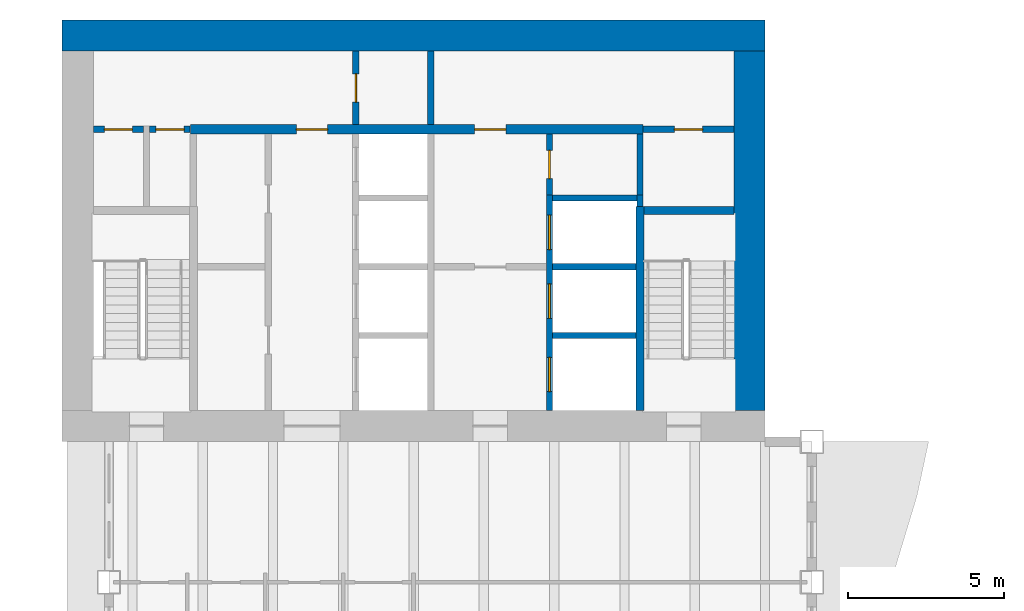
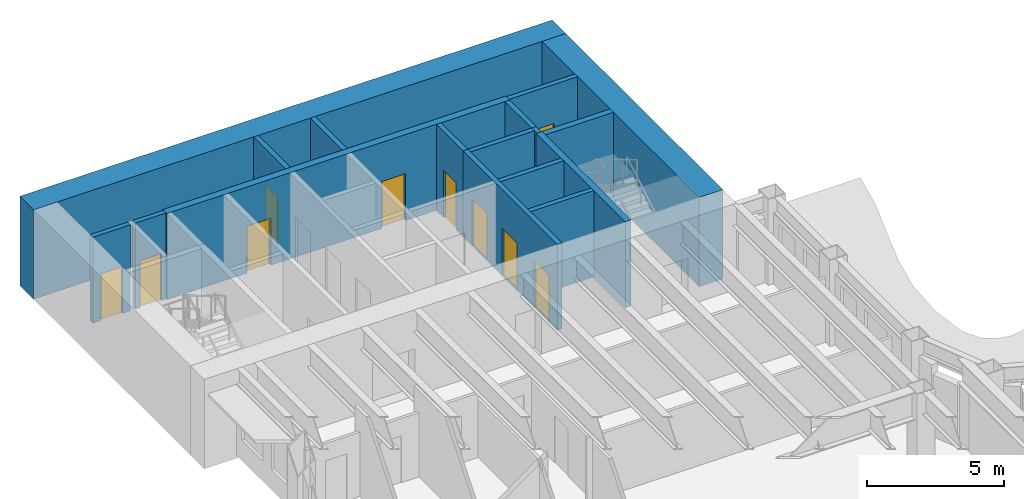
# One storey, part 10 of 17: 17 walls, 10 doors, 10 openings.
"""IFC4 building model written with IfcOpenShell, lengths in metres."""

from ifc_helpers import new_model, si_unit, direction, frame, frame_2d, origin, place, context, subcontext, project, spatial, rectangle, extrude, material, layer, layer_set, type_object, element, fill, save


model = new_model("IFC4")

# Units and contexts
model_context = context("Model", 3, precision=1e-05, world=origin(), true_north=direction((0.0, 1.0)))
body_context = subcontext(model_context, "Body", "Model", "MODEL_VIEW")
ifc_project = project(units=[si_unit("LENGTHUNIT", "METRE"), si_unit("AREAUNIT", "SQUARE_METRE"), si_unit("VOLUMEUNIT", "CUBIC_METRE"), si_unit("PLANEANGLEUNIT", "RADIAN"), si_unit("MASSUNIT", "GRAM", prefix="KILO")], contexts=[model_context])

# Site, building, storey
site_placement = place(None, origin())
site = spatial("IfcSite", under=ifc_project, at=site_placement, CompositionType="ELEMENT")
building_placement = place(site_placement, origin())
building = spatial("IfcBuilding", under=site, at=building_placement, Name="Sennacour Bend Tower", CompositionType="ELEMENT")
storey_placement = place(building_placement, frame((0.0, 0.0, 199.0)))
storey = spatial("IfcBuildingStorey", under=building, at=storey_placement, Name="L45", CompositionType="ELEMENT", Elevation=199.0)

# Walls
ifc_material_1 = material(Name="Concrete C60/75", Category="concrete")
ifc_layer_1 = layer(ifc_material_1, 1.0, Name="Concrete C60/75", Category="concrete")
ifc_layer_set_1 = layer_set([ifc_layer_1], Name="Concrete C60/75")
wall_type_1 = type_object("IfcWallType", Name="Core wall 1000 C60/75", PredefinedType="SHEAR", material=ifc_layer_set_1)
wall_1_placement = place(storey_placement, frame((0.0, 49.0, -0.14990234375), z_axis=(0.0, 0.0, 1.0), x_axis=(1.0, 0.0, 0.0)))
element("IfcWall", 1, at=wall_1_placement, inside=storey, type_object=wall_type_1, Name="Core B wall L45 N", PredefinedType="SHEAR", context=body_context, shape_type="SweptSolid", body=[
    extrude(rectangle(XDim=22.5, YDim=1.0, at=frame_2d((11.25, 0.0))), origin(), (0.0, 0.0, 1.0), 4.0),
])
wall_2_placement = place(storey_placement, frame((22.0, 37.0, -0.14990234375), z_axis=(0.0, 0.0, 1.0), x_axis=(0.0, 1.0, 0.0)))
element("IfcWall", 2, at=wall_2_placement, inside=storey, type_object=wall_type_1, Name="Core B wall L45 E", PredefinedType="SHEAR", context=body_context, shape_type="SweptSolid", body=[
    extrude(rectangle(XDim=11.5, YDim=1.0, at=frame_2d((5.75, 0.0))), origin(), (0.0, 0.0, 1.0), 4.0),
])

# Wall, opening, door
ifc_material_2 = material(Name="Fire-rated plasterboard partition on steel studs", Category="steel")
ifc_layer_2 = layer(ifc_material_2, 0.199951171875, Name="Fire-rated plasterboard partition on steel studs", Category="steel")
ifc_layer_set_2 = layer_set([ifc_layer_2], Name="Fire-rated plasterboard partition on steel studs")
wall_type_2 = type_object("IfcWallType", Name="Rated partition 200", PredefinedType="PARTITIONING", material=ifc_layer_set_2)
wall_3_placement = place(storey_placement, frame((9.39990234375, 46.14990234375, 0.0), z_axis=(0.0, 0.0, 1.0), x_axis=(0.0, 1.0, 0.0)))
wall_3 = element("IfcWall", 3, at=wall_3_placement, inside=storey, type_object=wall_type_2, Name="P-L45-W015", PredefinedType="PARTITIONING", context=body_context, shape_type="SweptSolid", body=[
    extrude(rectangle(XDim=2.35009765625, YDim=0.199951171875, at=frame_2d((1.175048828125, 0.0))), origin(), (0.0, 0.0, 1.0), 3.85009765625),
])
opening_1_placement = place(wall_3_placement, frame((0.72509765625, 0.0, 0.0)))
opening_1 = element("IfcOpeningElement", 4, at=opening_1_placement, cuts=wall_3, Name="Opening SV", PredefinedType="OPENING", context=body_context, shape_type="SweptSolid", body=[
    extrude(rectangle(XDim=0.89990234375, YDim=2.10009765625, at=frame_2d((0.449951171875, 1.050048828125))), frame((0.0, 0.10986328125, 0.0), z_axis=(0.0, -1.0, 0.0), x_axis=(1.0, 0.0, 0.0)), (0.0, 0.0, 1.0), 0.219970703125),
])
ifc_material_3 = material(Name="Painted steel", Category="steel")
door_type_1 = type_object("IfcDoorType", Name="DR-SERVICE-900", OperationType="NOTDEFINED", PredefinedType="DOOR", material=ifc_material_3)
door_1_placement = place(opening_1_placement, origin())
door_1 = element("IfcDoor", 5, at=door_1_placement, inside=storey, type_object=door_type_1, Name="Door", OperationType="SINGLE_SWING_RIGHT", OverallHeight=2.10009765625, OverallWidth=0.89990234375, PredefinedType="DOOR", context=body_context, shape_type="SweptSolid", body=[
    extrude(rectangle(XDim=0.89990234375, YDim=2.10009765625, at=frame_2d((0.449951171875, 1.050048828125))), frame((0.0, 0.02490234375, 0.0), z_axis=(0.0, -1.0, 0.0), x_axis=(1.0, 0.0, 0.0)), (0.0, 0.0, 1.0), 0.050048828125),
])
fill(opening_1, door_1)

# Wall
wall_4_placement = place(storey_placement, frame((11.800048828125, 46.14990234375, 0.0), z_axis=(0.0, 0.0, 1.0), x_axis=(0.0, 1.0, 0.0)))
element("IfcWall", 6, at=wall_4_placement, inside=storey, type_object=wall_type_2, Name="P-L45-W018", PredefinedType="PARTITIONING", context=body_context, shape_type="SweptSolid", body=[
    extrude(rectangle(XDim=2.35009765625, YDim=0.199951171875, at=frame_2d((1.175048828125, 0.0))), origin(), (0.0, 0.0, 1.0), 3.85009765625),
])

# Wall, opening, door
wall_5_placement = place(storey_placement, frame((15.60009765625, 43.89990234375, 0.0), z_axis=(0.0, 0.0, 1.0), x_axis=(0.0, 1.0, 0.0)))
wall_5 = element("IfcWall", 7, at=wall_5_placement, inside=storey, type_object=wall_type_2, Name="P-L45-W021", PredefinedType="PARTITIONING", context=body_context, shape_type="SweptSolid", body=[
    extrude(rectangle(XDim=1.9501953125, YDim=0.199951171875, at=frame_2d((0.97509765625, 0.0))), origin(), (0.0, 0.0, 1.0), 3.85009765625),
])
opening_2_placement = place(wall_5_placement, frame((0.525146484375, 0.0, 0.0)))
opening_2 = element("IfcOpeningElement", 8, at=opening_2_placement, cuts=wall_5, Name="Opening SV", PredefinedType="OPENING", context=body_context, shape_type="SweptSolid", body=[
    extrude(rectangle(XDim=0.89990234375, YDim=2.10009765625, at=frame_2d((0.449951171875, 1.050048828125))), frame((0.0, 0.10986328125, 0.0), z_axis=(0.0, -1.0, 0.0), x_axis=(1.0, 0.0, 0.0)), (0.0, 0.0, 1.0), 0.219970703125),
])
door_2_placement = place(opening_2_placement, origin())
door_2 = element("IfcDoor", 9, at=door_2_placement, inside=storey, type_object=door_type_1, Name="Door", OperationType="SINGLE_SWING_RIGHT", OverallHeight=2.10009765625, OverallWidth=0.89990234375, PredefinedType="DOOR", context=body_context, shape_type="SweptSolid", body=[
    extrude(rectangle(XDim=0.89990234375, YDim=2.10009765625, at=frame_2d((0.449951171875, 1.050048828125))), frame((0.0, 0.02490234375, 0.0), z_axis=(0.0, -1.0, 0.0), x_axis=(1.0, 0.0, 0.0)), (0.0, 0.0, 1.0), 0.050048828125),
])
fill(opening_2, door_2)

# Wall
wall_6_placement = place(storey_placement, frame((18.5, 43.89990234375, 0.0), z_axis=(0.0, 0.0, 1.0), x_axis=(0.0, 1.0, 0.0)))
element("IfcWall", 10, at=wall_6_placement, inside=storey, type_object=wall_type_2, Name="P-L45-W025", PredefinedType="PARTITIONING", context=body_context, shape_type="SweptSolid", body=[
    extrude(rectangle(XDim=1.9501953125, YDim=0.199951171875, at=frame_2d((0.97509765625, 0.0))), origin(), (0.0, 0.0, 1.0), 3.85009765625),
])

# Wall, opening, door
wall_7_placement = place(storey_placement, frame((1.0, 46.0, 0.0), z_axis=(0.0, 0.0, 1.0), x_axis=(1.0, 0.0, 0.0)))
wall_7 = element("IfcWall", 11, at=wall_7_placement, inside=storey, type_object=wall_type_2, Name="P-L45-W098a", PredefinedType="PARTITIONING", context=body_context, shape_type="SweptSolid", body=[
    extrude(rectangle(XDim=1.60009765625, YDim=0.199951171875, at=frame_2d((0.800048828125, 0.0))), origin(), (0.0, 0.0, 1.0), 3.85009765625),
])
opening_3_placement = place(wall_7_placement, frame((0.35009765625, 0.0, 0.0)))
opening_3 = element("IfcOpeningElement", 12, at=opening_3_placement, cuts=wall_7, Name="Opening SV", PredefinedType="OPENING", context=body_context, shape_type="SweptSolid", body=[
    extrude(rectangle(XDim=0.89990234375, YDim=2.10009765625, at=frame_2d((0.449951171875, 1.050048828125))), frame((0.0, 0.10986328125, 0.0), z_axis=(0.0, -1.0, 0.0), x_axis=(1.0, 0.0, 0.0)), (0.0, 0.0, 1.0), 0.219970703125),
])
door_3_placement = place(opening_3_placement, origin())
door_3 = element("IfcDoor", 13, at=door_3_placement, inside=storey, type_object=door_type_1, Name="Door", OperationType="SINGLE_SWING_LEFT", OverallHeight=2.10009765625, OverallWidth=0.89990234375, PredefinedType="DOOR", context=body_context, shape_type="SweptSolid", body=[
    extrude(rectangle(XDim=0.89990234375, YDim=2.10009765625, at=frame_2d((0.449951171875, 1.050048828125))), frame((0.0, 0.02490234375, 0.0), z_axis=(0.0, -1.0, 0.0), x_axis=(1.0, 0.0, 0.0)), (0.0, 0.0, 1.0), 0.050048828125),
])
fill(opening_3, door_3)

wall_8_placement = place(storey_placement, frame((2.800048828125, 46.0, 0.0), z_axis=(0.0, 0.0, 1.0), x_axis=(1.0, 0.0, 0.0)))
wall_8 = element("IfcWall", 14, at=wall_8_placement, inside=storey, type_object=wall_type_2, Name="P-L45-W098b", PredefinedType="PARTITIONING", context=body_context, shape_type="SweptSolid", body=[
    extrude(rectangle(XDim=1.300048828125, YDim=0.199951171875, at=frame_2d((0.64990234375, 0.0))), origin(), (0.0, 0.0, 1.0), 3.85009765625),
])
opening_4_placement = place(wall_8_placement, frame((0.199951171875, 0.0, 0.0)))
opening_4 = element("IfcOpeningElement", 15, at=opening_4_placement, cuts=wall_8, Name="Opening SV", PredefinedType="OPENING", context=body_context, shape_type="SweptSolid", body=[
    extrude(rectangle(XDim=0.89990234375, YDim=2.10009765625, at=frame_2d((0.449951171875, 1.050048828125))), frame((0.0, 0.10986328125, 0.0), z_axis=(0.0, -1.0, 0.0), x_axis=(1.0, 0.0, 0.0)), (0.0, 0.0, 1.0), 0.219970703125),
])
door_4_placement = place(opening_4_placement, origin())
door_4 = element("IfcDoor", 16, at=door_4_placement, inside=storey, type_object=door_type_1, Name="Door", OperationType="SINGLE_SWING_LEFT", OverallHeight=2.10009765625, OverallWidth=0.89990234375, PredefinedType="DOOR", context=body_context, shape_type="SweptSolid", body=[
    extrude(rectangle(XDim=0.89990234375, YDim=2.10009765625, at=frame_2d((0.449951171875, 1.050048828125))), frame((0.0, 0.02490234375, 0.0), z_axis=(0.0, -1.0, 0.0), x_axis=(1.0, 0.0, 0.0)), (0.0, 0.0, 1.0), 0.050048828125),
])
fill(opening_4, door_4)

wall_9_placement = place(storey_placement, frame((18.60009765625, 46.0, 0.0), z_axis=(0.0, 0.0, 1.0), x_axis=(1.0, 0.0, 0.0)))
wall_9 = element("IfcWall", 17, at=wall_9_placement, inside=storey, type_object=wall_type_2, Name="P-L45-W100", PredefinedType="PARTITIONING", context=body_context, shape_type="SweptSolid", body=[
    extrude(rectangle(XDim=2.89990234375, YDim=0.199951171875, at=frame_2d((1.449951171875, 0.0))), origin(), (0.0, 0.0, 1.0), 3.85009765625),
])
opening_5_placement = place(wall_9_placement, frame((1.0, 0.0, 0.0)))
opening_5 = element("IfcOpeningElement", 18, at=opening_5_placement, cuts=wall_9, Name="Opening WD", PredefinedType="OPENING", context=body_context, shape_type="SweptSolid", body=[
    extrude(rectangle(XDim=0.89990234375, YDim=2.10009765625, at=frame_2d((0.449951171875, 1.050048828125))), frame((0.0, 0.10986328125, 0.0), z_axis=(0.0, -1.0, 0.0), x_axis=(1.0, 0.0, 0.0)), (0.0, 0.0, 1.0), 0.219970703125),
])
ifc_material_4 = material(Name="Timber", Category="wood")
door_type_2 = type_object("IfcDoorType", Name="DR-WC-900", OperationType="NOTDEFINED", PredefinedType="DOOR", material=ifc_material_4)
door_5_placement = place(opening_5_placement, origin())
door_5 = element("IfcDoor", 19, at=door_5_placement, inside=storey, type_object=door_type_2, Name="Door", OperationType="SINGLE_SWING_LEFT", OverallHeight=2.10009765625, OverallWidth=0.89990234375, PredefinedType="DOOR", context=body_context, shape_type="SweptSolid", body=[
    extrude(rectangle(XDim=0.89990234375, YDim=2.10009765625, at=frame_2d((0.449951171875, 1.050048828125))), frame((0.0, 0.02490234375, 0.0), z_axis=(0.0, -1.0, 0.0), x_axis=(1.0, 0.0, 0.0)), (0.0, 0.0, 1.0), 0.050048828125),
])
fill(opening_5, door_5)

# Wall, openings, doors
ifc_material_5 = material(Name="Concrete C50/60", Category="concrete")
ifc_layer_3 = layer(ifc_material_5, 0.199951171875, Name="Concrete C50/60", Category="concrete")
ifc_layer_set_3 = layer_set([ifc_layer_3], Name="Concrete C50/60")
wall_type_3 = type_object("IfcWallType", Name="Shaft wall 200", PredefinedType="SOLIDWALL", material=ifc_layer_set_3)
wall_10_placement = place(storey_placement, frame((15.60009765625, 37.0, 0.0), z_axis=(0.0, 0.0, 1.0), x_axis=(0.0, 1.0, 0.0)))
wall_10 = element("IfcWall", 20, at=wall_10_placement, inside=storey, type_object=wall_type_3, Name="P-L45-W020", PredefinedType="SOLIDWALL", context=body_context, shape_type="SweptSolid", body=[
    extrude(rectangle(XDim=6.89990234375, YDim=0.199951171875, at=frame_2d((3.449951171875, 0.0))), origin(), (0.0, 0.0, 1.0), 3.85009765625),
])
opening_6_placement = place(wall_10_placement, frame((0.60009765625, 0.0, 0.011962890625)))
opening_6 = element("IfcOpeningElement", 21, at=opening_6_placement, cuts=wall_10, Name="Opening FLD", PredefinedType="OPENING", context=body_context, shape_type="SweptSolid", body=[
    extrude(rectangle(XDim=1.10009765625, YDim=2.10009765625, at=frame_2d((0.550048828125, 1.050048828125))), frame((0.0, 0.10986328125, 0.0), z_axis=(0.0, -1.0, 0.0), x_axis=(1.0, 0.0, 0.0)), (0.0, 0.0, 1.0), 0.219970703125),
])
opening_7_placement = place(wall_10_placement, frame((2.949951171875, 0.0, 0.011962890625)))
opening_7 = element("IfcOpeningElement", 22, at=opening_7_placement, cuts=wall_10, Name="Opening FLD", PredefinedType="OPENING", context=body_context, shape_type="SweptSolid", body=[
    extrude(rectangle(XDim=1.10009765625, YDim=2.10009765625, at=frame_2d((0.550048828125, 1.050048828125))), frame((0.0, 0.10986328125, 0.0), z_axis=(0.0, -1.0, 0.0), x_axis=(1.0, 0.0, 0.0)), (0.0, 0.0, 1.0), 0.219970703125),
])
opening_8_placement = place(wall_10_placement, frame((5.14990234375, 0.0, 0.011962890625)))
opening_8 = element("IfcOpeningElement", 23, at=opening_8_placement, cuts=wall_10, Name="Opening LD", PredefinedType="OPENING", context=body_context, shape_type="SweptSolid", body=[
    extrude(rectangle(XDim=1.10009765625, YDim=2.10009765625, at=frame_2d((0.550048828125, 1.050048828125))), frame((0.0, 0.10986328125, 0.0), z_axis=(0.0, -1.0, 0.0), x_axis=(1.0, 0.0, 0.0)), (0.0, 0.0, 1.0), 0.219970703125),
])
ifc_material_6 = material(Name="Stainless steel", Category="steel")
door_type_3 = type_object("IfcDoorType", Name="DR-FF-LANDING-1100", OperationType="NOTDEFINED", PredefinedType="DOOR", material=ifc_material_6)
door_6_placement = place(opening_6_placement, origin())
door_6 = element("IfcDoor", 24, at=door_6_placement, inside=storey, type_object=door_type_3, Name="Fire service lift landing door FB1", OperationType="SLIDING_TO_RIGHT", OverallHeight=2.10009765625, OverallWidth=1.10009765625, PredefinedType="DOOR", context=body_context, shape_type="SweptSolid", body=[
    extrude(rectangle(XDim=1.10009765625, YDim=2.10009765625, at=frame_2d((0.550048828125, 1.050048828125))), frame((0.0, 0.02490234375, 0.0), z_axis=(0.0, -1.0, 0.0), x_axis=(1.0, 0.0, 0.0)), (0.0, 0.0, 1.0), 0.050048828125),
])
fill(opening_6, door_6)
door_7_placement = place(opening_7_placement, origin())
door_7 = element("IfcDoor", 25, at=door_7_placement, inside=storey, type_object=door_type_3, Name="Fire service lift landing door FB2", OperationType="SLIDING_TO_LEFT", OverallHeight=2.10009765625, OverallWidth=1.10009765625, PredefinedType="DOOR", context=body_context, shape_type="SweptSolid", body=[
    extrude(rectangle(XDim=1.10009765625, YDim=2.10009765625, at=frame_2d((0.550048828125, 1.050048828125))), frame((0.0, 0.02490234375, 0.0), z_axis=(0.0, -1.0, 0.0), x_axis=(1.0, 0.0, 0.0)), (0.0, 0.0, 1.0), 0.050048828125),
])
fill(opening_7, door_7)
door_type_4 = type_object("IfcDoorType", Name="DR-LANDING-1100", OperationType="NOTDEFINED", PredefinedType="DOOR", material=ifc_material_6)
door_8_placement = place(opening_8_placement, origin())
door_8 = element("IfcDoor", 26, at=door_8_placement, inside=storey, type_object=door_type_4, Name="Lift landing door MB5", OperationType="SLIDING_TO_RIGHT", OverallHeight=2.10009765625, OverallWidth=1.10009765625, PredefinedType="DOOR", context=body_context, shape_type="SweptSolid", body=[
    extrude(rectangle(XDim=1.10009765625, YDim=2.10009765625, at=frame_2d((0.550048828125, 1.050048828125))), frame((0.0, 0.02490234375, 0.0), z_axis=(0.0, -1.0, 0.0), x_axis=(1.0, 0.0, 0.0)), (0.0, 0.0, 1.0), 0.050048828125),
])
fill(opening_8, door_8)

# Walls
wall_11_placement = place(storey_placement, frame((18.5, 43.52490234375, 0.0), z_axis=(0.0, 0.0, 1.0), x_axis=(0.0, 1.0, 0.0)))
element("IfcWall", 27, at=wall_11_placement, inside=storey, type_object=wall_type_3, Name="P-L45-W024", PredefinedType="SOLIDWALL", context=body_context, shape_type="SweptSolid", body=[
    extrude(rectangle(XDim=0.375, YDim=0.199951171875, at=frame_2d((0.1875, 0.0))), origin(), (0.0, 0.0, 1.0), 3.85009765625),
])
for number, where, z_axis, x_axis, name in (
    (28, (15.699951171875, 39.39990234375, 0.0), (0.0, 0.0, 1.0), (1.0, 0.0, 0.0), "P-L45-W089"),
    (29, (15.699951171875, 41.60009765625, 0.0), (0.0, 0.0, 1.0), (1.0, 0.0, 0.0), "P-L45-W093"),
):
    element("IfcWall", number, at=place(storey_placement, frame(where, z_axis=z_axis, x_axis=x_axis)), inside=storey, type_object=wall_type_3, Name=name, PredefinedType="SOLIDWALL", context=body_context, shape_type="SweptSolid", body=[
        extrude(rectangle(XDim=2.675048828125, YDim=0.199951171875, at=frame_2d((1.33740234375, 0.0))), origin(), (0.0, 0.0, 1.0), 3.85009765625),
    ])
wall_12_placement = place(storey_placement, frame((15.699951171875, 43.800048828125, 0.0), z_axis=(0.0, 0.0, 1.0), x_axis=(1.0, 0.0, 0.0)))
element("IfcWall", 30, at=wall_12_placement, inside=storey, type_object=wall_type_3, Name="P-L45-W097", PredefinedType="SOLIDWALL", context=body_context, shape_type="SweptSolid", body=[
    extrude(rectangle(XDim=2.699951171875, YDim=0.199951171875, at=frame_2d((1.35009765625, 0.0))), origin(), (0.0, 0.0, 1.0), 3.85009765625),
])

# Wall, openings, doors
ifc_layer_4 = layer(ifc_material_1, 0.300048828125, Name="Concrete C60/75", Category="concrete")
ifc_layer_set_4 = layer_set([ifc_layer_4], Name="Concrete C60/75")
wall_type_4 = type_object("IfcWallType", Name="Spine wall 300", PredefinedType="SHEAR", material=ifc_layer_set_4)
wall_13_placement = place(storey_placement, frame((4.10009765625, 46.0, 0.0), z_axis=(0.0, 0.0, 1.0), x_axis=(1.0, 0.0, 0.0)))
wall_13 = element("IfcWall", 31, at=wall_13_placement, inside=storey, type_object=wall_type_4, Name="P-L45-W099", PredefinedType="SHEAR", context=body_context, shape_type="SweptSolid", body=[
    extrude(rectangle(XDim=14.5, YDim=0.300048828125, at=frame_2d((7.25, 0.0))), origin(), (0.0, 0.0, 1.0), 3.85009765625),
])
opening_9_placement = place(wall_13_placement, frame((3.39990234375, 0.0, 0.0)))
opening_9 = element("IfcOpeningElement", 32, at=opening_9_placement, cuts=wall_13, Name="Opening CD2", PredefinedType="OPENING", context=body_context, shape_type="SweptSolid", body=[
    extrude(rectangle(XDim=1.0, YDim=2.10009765625, at=frame_2d((0.5, 1.050048828125))), frame((0.0, 0.16015625, 0.0), z_axis=(0.0, -1.0, 0.0), x_axis=(1.0, 0.0, 0.0)), (0.0, 0.0, 1.0), 0.320068359375),
])
opening_10_placement = place(wall_13_placement, frame((9.099853515625, 0.0, 0.0)))
opening_10 = element("IfcOpeningElement", 33, at=opening_10_placement, cuts=wall_13, Name="Opening CD2", PredefinedType="OPENING", context=body_context, shape_type="SweptSolid", body=[
    extrude(rectangle(XDim=1.0, YDim=2.10009765625, at=frame_2d((0.5, 1.050048828125))), frame((0.0, 0.16015625, 0.0), z_axis=(0.0, -1.0, 0.0), x_axis=(1.0, 0.0, 0.0)), (0.0, 0.0, 1.0), 0.320068359375),
])
door_type_5 = type_object("IfcDoorType", Name="DR-LOBBY-1000", OperationType="NOTDEFINED", PredefinedType="DOOR", material=ifc_material_3)
door_9_placement = place(opening_9_placement, origin())
door_9 = element("IfcDoor", 34, at=door_9_placement, inside=storey, type_object=door_type_5, Name="Door", OperationType="SINGLE_SWING_LEFT", OverallHeight=2.10009765625, OverallWidth=1.0, PredefinedType="DOOR", context=body_context, shape_type="SweptSolid", body=[
    extrude(rectangle(XDim=1.0, YDim=2.10009765625, at=frame_2d((0.5, 1.050048828125))), frame((0.0, 0.02490234375, 0.0), z_axis=(0.0, -1.0, 0.0), x_axis=(1.0, 0.0, 0.0)), (0.0, 0.0, 1.0), 0.050048828125),
])
fill(opening_9, door_9)
door_10_placement = place(opening_10_placement, origin())
door_10 = element("IfcDoor", 35, at=door_10_placement, inside=storey, type_object=door_type_5, Name="Door", OperationType="SINGLE_SWING_RIGHT", OverallHeight=2.10009765625, OverallWidth=1.0, PredefinedType="DOOR", context=body_context, shape_type="SweptSolid", body=[
    extrude(rectangle(XDim=1.0, YDim=2.10009765625, at=frame_2d((0.5, 1.050048828125))), frame((0.0, 0.02490234375, 0.0), z_axis=(0.0, -1.0, 0.0), x_axis=(1.0, 0.0, 0.0)), (0.0, 0.0, 1.0), 0.050048828125),
])
fill(opening_10, door_10)

# Walls
ifc_layer_5 = layer(ifc_material_1, 0.25, Name="Concrete C60/75", Category="concrete")
ifc_layer_set_5 = layer_set([ifc_layer_5], Name="Concrete C60/75")
wall_type_5 = type_object("IfcWallType", Name="Stair wall 250", PredefinedType="SHEAR", material=ifc_layer_set_5)
wall_14_placement = place(storey_placement, frame((18.5, 37.0, 0.0), z_axis=(0.0, 0.0, 1.0), x_axis=(0.0, 1.0, 0.0)))
element("IfcWall", 36, at=wall_14_placement, inside=storey, type_object=wall_type_5, Name="P-L45-W023", PredefinedType="SHEAR", context=body_context, shape_type="SweptSolid", body=[
    extrude(rectangle(XDim=6.52490234375, YDim=0.25, at=frame_2d((3.262451171875, 0.0))), origin(), (0.0, 0.0, 1.0), 3.85009765625),
])
wall_15_placement = place(storey_placement, frame((18.625, 43.39990234375, 0.0), z_axis=(0.0, 0.0, 1.0), x_axis=(1.0, 0.0, 0.0)))
element("IfcWall", 37, at=wall_15_placement, inside=storey, type_object=wall_type_5, Name="P-L45-W095", PredefinedType="SHEAR", context=body_context, shape_type="SweptSolid", body=[
    extrude(rectangle(XDim=2.875, YDim=0.25, at=frame_2d((1.4375, 0.0))), origin(), (0.0, 0.0, 1.0), 3.85009765625),
])

save(model, "model.ifc")
